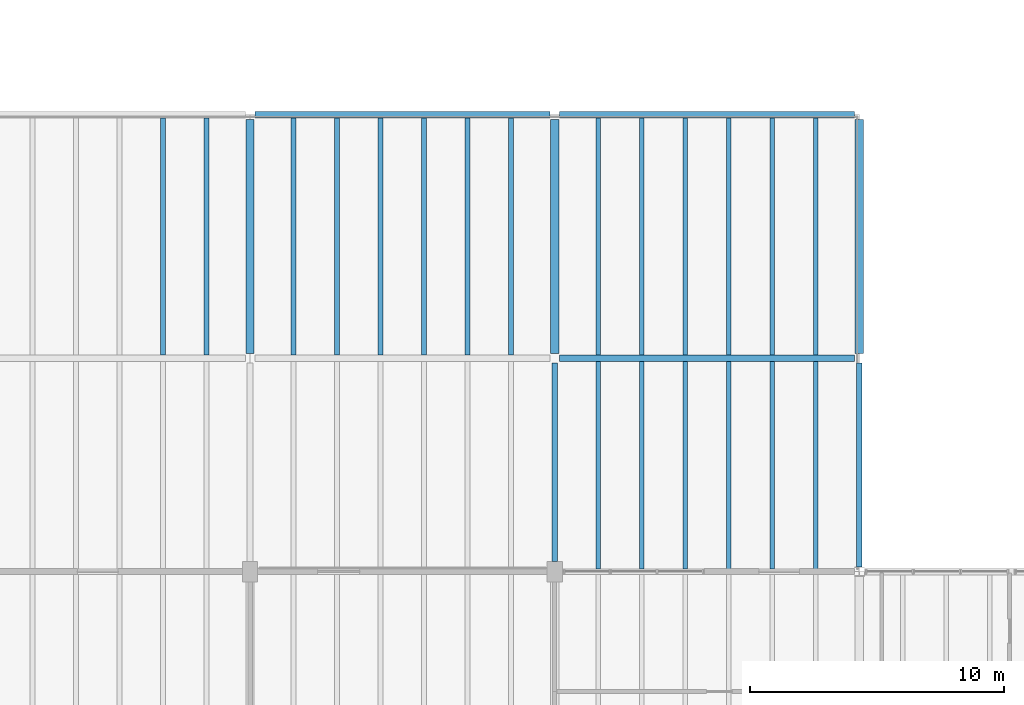
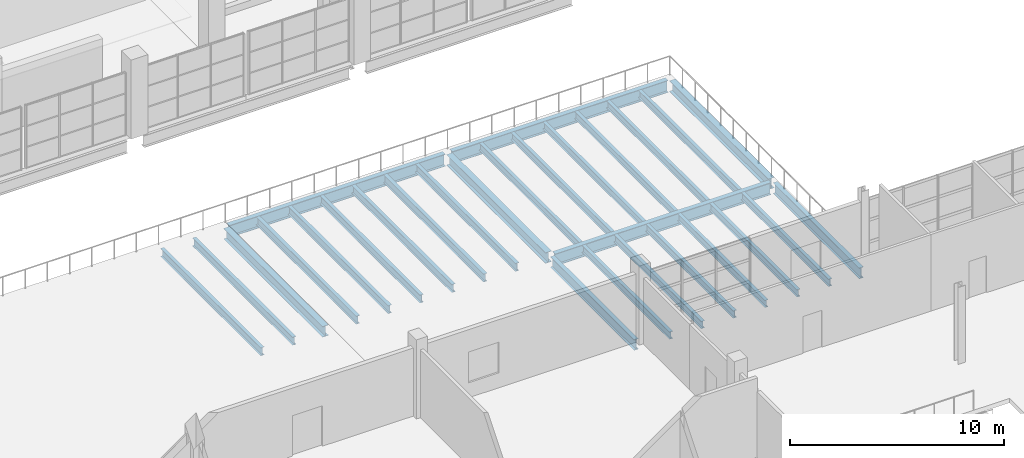
# One storey, part 14 of 78: 28 beams.
"""IFC4 building model written with IfcOpenShell, lengths in metres."""

from ifc_helpers import new_model, si_unit, direction, frame, origin, origin_2d, place, context, subcontext, project, spatial, i_section, extrude, material, material_profile, profile_set, type_object, element, save


model = new_model("IFC4")

# Units and contexts
model_context = context("Model", 3, precision=1e-05, world=origin(), true_north=direction((0.0, 1.0)))
body_context = subcontext(model_context, "Body", "Model", "MODEL_VIEW")
ifc_project = project(units=[si_unit("LENGTHUNIT", "METRE"), si_unit("AREAUNIT", "SQUARE_METRE"), si_unit("VOLUMEUNIT", "CUBIC_METRE"), si_unit("PLANEANGLEUNIT", "RADIAN"), si_unit("MASSUNIT", "GRAM", prefix="KILO")], contexts=[model_context])

# Site, building, storey
site_placement = place(None, origin())
site = spatial("IfcSite", under=ifc_project, at=site_placement, CompositionType="ELEMENT")
building_placement = place(site_placement, origin())
building = spatial("IfcBuilding", under=site, at=building_placement, Name="Kelmvaro Bay Concert Hall", CompositionType="ELEMENT")
storey_placement = place(building_placement, frame((0.0, 0.0, 9.300048828125)))
storey = spatial("IfcBuildingStorey", under=building, at=storey_placement, Name="L02", CompositionType="ELEMENT", Elevation=9.300048828125)

# Beams
ifc_material_1 = material(Name="Steel ASTM A992 Grade 50", Category="steel")
ifc_material_profile_1 = material_profile(ifc_material_1, i_section(OverallWidth=0.323974609375, OverallDepth=0.611083984375, WebThickness=0.0126953125, FlangeThickness=0.01904296875, at=origin_2d()), Name="W24X104")
ifc_profile_set_1 = profile_set([ifc_material_profile_1], Name="Steel ASTM A992 Grade 50")
beam_type_1 = type_object("IfcBeamType", Name="Foyer Frame Girder W24x104", PredefinedType="BEAM", material=ifc_profile_set_1)
for number, where, z_axis, x_axis, name in (
    (1, (36.0, 47.58642578125, -0.545654296875), (0.0, 1.0, 0.0), (-1.0, 0.0, 0.0), "L02 Girder BM-L02-NS-0821"),
    (2, (48.0, 47.58642578125, -0.545654296875), (0.0, 1.0, 0.0), (-1.0, 0.0, 0.0), "L02 Girder BM-L02-NS-0826"),
    (3, (60.0, 47.58642578125, -0.545654296875), (0.0, 1.0, 0.0), (-1.0, 0.0, 0.0), "L02 Girder BM-L02-NS-0835"),
):
    element("IfcBeam", number, at=place(storey_placement, frame(where, z_axis=z_axis, x_axis=x_axis)), inside=storey, type_object=beam_type_1, Name=name, PredefinedType="BEAM", context=body_context, shape_type="SweptSolid", body=[
        extrude(i_section(OverallWidth=0.323974609375, OverallDepth=0.611083984375, WebThickness=0.0126953125, FlangeThickness=0.01904296875, at=origin_2d()), origin(), (0.0, 0.0, 1.0), 9.22705078125),
    ])
ifc_material_2 = material(Name="Steel ASTM A992 Grade 50", Category="steel")
ifc_material_profile_2 = material_profile(ifc_material_2, i_section(OverallWidth=0.256103515625, OverallDepth=0.693115234375, WebThickness=0.014404296875, FlangeThickness=0.023681640625, at=origin_2d()), Name="W27X114")
ifc_profile_set_2 = profile_set([ifc_material_profile_2], Name="Steel ASTM A992 Grade 50")
beam_type_2 = type_object("IfcBeamType", Name="Foyer Primary Girder W27x114", PredefinedType="BEAM", material=ifc_profile_set_2)
for number, where, z_axis, x_axis, name in (
    (4, (48.1865234375, 47.39990234375, -0.586669921875), (1.0, 0.0, 0.0), (0.0, 1.0, 0.0), "L02 Girder BM-L02-EW-0739"),
    (5, (36.1865234375, 57.0, -0.586669921875), (1.0, 0.0, 0.0), (0.0, 1.0, 0.0), "L02 Girder BM-L02-EW-0745"),
    (6, (48.1865234375, 57.0, -0.586669921875), (1.0, 0.0, 0.0), (0.0, 1.0, 0.0), "L02 Girder BM-L02-EW-0746"),
):
    element("IfcBeam", number, at=place(storey_placement, frame(where, z_axis=z_axis, x_axis=x_axis)), inside=storey, type_object=beam_type_2, Name=name, PredefinedType="BEAM", context=body_context, shape_type="SweptSolid", body=[
        extrude(i_section(OverallWidth=0.256103515625, OverallDepth=0.693115234375, WebThickness=0.014404296875, FlangeThickness=0.023681640625, at=origin_2d()), origin(), (0.0, 0.0, 1.0), 11.626953125),
    ])
ifc_material_3 = material(Name="Steel ASTM A992 Grade 50", Category="steel")
ifc_material_profile_3 = material_profile(ifc_material_3, i_section(OverallWidth=0.19091796875, OverallDepth=0.45703125, WebThickness=0.009033203125, FlangeThickness=0.014404296875, at=origin_2d()), Name="W18X50")
ifc_profile_set_3 = profile_set([ifc_material_profile_3], Name="Steel ASTM A992 Grade 50")
beam_type_3 = type_object("IfcBeamType", Name="Standard Composite Floor Joist W18x50", PredefinedType="JOIST", material=ifc_profile_set_3)
for number, where, z_axis, x_axis, name in (
    (7, (32.5712890625, 47.528076171875, -0.468505859375), (0.0, 1.0, 0.0), (-1.0, 0.0, 0.0), "L02 Floor Joist JST-L02-1154"),
    (8, (34.28564453125, 47.528076171875, -0.468505859375), (0.0, 1.0, 0.0), (-1.0, 0.0, 0.0), "L02 Floor Joist JST-L02-1155"),
    (9, (37.71435546875, 47.528076171875, -0.468505859375), (0.0, 1.0, 0.0), (-1.0, 0.0, 0.0), "L02 Floor Joist JST-L02-1156"),
    (10, (39.4287109375, 47.528076171875, -0.468505859375), (0.0, 1.0, 0.0), (-1.0, 0.0, 0.0), "L02 Floor Joist JST-L02-1157"),
    (11, (41.142822265625, 47.528076171875, -0.468505859375), (0.0, 1.0, 0.0), (-1.0, 0.0, 0.0), "L02 Floor Joist JST-L02-1158"),
    (12, (42.857177734375, 47.528076171875, -0.468505859375), (0.0, 1.0, 0.0), (-1.0, 0.0, 0.0), "L02 Floor Joist JST-L02-1159"),
    (13, (44.5712890625, 47.528076171875, -0.468505859375), (0.0, 1.0, 0.0), (-1.0, 0.0, 0.0), "L02 Floor Joist JST-L02-1160"),
    (14, (46.28564453125, 47.528076171875, -0.468505859375), (0.0, 1.0, 0.0), (-1.0, 0.0, 0.0), "L02 Floor Joist JST-L02-1161"),
):
    element("IfcBeam", number, at=place(storey_placement, frame(where, z_axis=z_axis, x_axis=x_axis)), inside=storey, type_object=beam_type_3, Name=name, PredefinedType="JOIST", context=body_context, shape_type="SweptSolid", body=[
        extrude(i_section(OverallWidth=0.19091796875, OverallDepth=0.45703125, WebThickness=0.009033203125, FlangeThickness=0.014404296875, at=origin_2d()), origin(), (0.0, 0.0, 1.0), 9.343994140625),
    ])
ifc_material_4 = material(Name="Steel ASTM A992 Grade 50", Category="steel")
ifc_material_profile_4 = material_profile(ifc_material_4, i_section(OverallWidth=0.179931640625, OverallDepth=0.4140625, WebThickness=0.009765625, FlangeThickness=0.01611328125, at=origin_2d()), Name="W16X50")
ifc_profile_set_4 = profile_set([ifc_material_profile_4], Name="Steel ASTM A992 Grade 50")
beam_type_4 = type_object("IfcBeamType", Name="Terrace Composite Joist W16x50", PredefinedType="JOIST", material=ifc_profile_set_4)
for number, where, z_axis, x_axis, name in (
    (15, (49.71435546875, 39.114013671875, -0.447021484375), (0.0, 1.0, 0.0), (-1.0, 0.0, 0.0), "L02 Floor Joist JST-L02-1120"),
    (16, (51.4287109375, 39.114013671875, -0.447021484375), (0.0, 1.0, 0.0), (-1.0, 0.0, 0.0), "L02 Floor Joist JST-L02-1121"),
    (17, (53.142822265625, 39.114013671875, -0.447021484375), (0.0, 1.0, 0.0), (-1.0, 0.0, 0.0), "L02 Floor Joist JST-L02-1122"),
    (18, (54.857177734375, 39.114013671875, -0.447021484375), (0.0, 1.0, 0.0), (-1.0, 0.0, 0.0), "L02 Floor Joist JST-L02-1123"),
    (19, (56.5712890625, 39.114013671875, -0.447021484375), (0.0, 1.0, 0.0), (-1.0, 0.0, 0.0), "L02 Floor Joist JST-L02-1124"),
    (20, (58.28564453125, 39.114013671875, -0.447021484375), (0.0, 1.0, 0.0), (-1.0, 0.0, 0.0), "L02 Floor Joist JST-L02-1125"),
):
    element("IfcBeam", number, at=place(storey_placement, frame(where, z_axis=z_axis, x_axis=x_axis)), inside=storey, type_object=beam_type_4, Name=name, PredefinedType="JOIST", context=body_context, shape_type="SweptSolid", body=[
        extrude(i_section(OverallWidth=0.179931640625, OverallDepth=0.4140625, WebThickness=0.009765625, FlangeThickness=0.01611328125, at=origin_2d()), origin(), (0.0, 0.0, 1.0), 8.157958984375),
    ])
for number, where, z_axis, x_axis, name in (
    (21, (49.71435546875, 47.528076171875, -0.447021484375), (0.0, 1.0, 0.0), (-1.0, 0.0, 0.0), "L02 Floor Joist JST-L02-1162"),
    (22, (51.4287109375, 47.528076171875, -0.447021484375), (0.0, 1.0, 0.0), (-1.0, 0.0, 0.0), "L02 Floor Joist JST-L02-1163"),
    (23, (53.142822265625, 47.528076171875, -0.447021484375), (0.0, 1.0, 0.0), (-1.0, 0.0, 0.0), "L02 Floor Joist JST-L02-1164"),
    (24, (54.857177734375, 47.528076171875, -0.447021484375), (0.0, 1.0, 0.0), (-1.0, 0.0, 0.0), "L02 Floor Joist JST-L02-1165"),
    (25, (56.5712890625, 47.528076171875, -0.447021484375), (0.0, 1.0, 0.0), (-1.0, 0.0, 0.0), "L02 Floor Joist JST-L02-1166"),
    (26, (58.28564453125, 47.528076171875, -0.447021484375), (0.0, 1.0, 0.0), (-1.0, 0.0, 0.0), "L02 Floor Joist JST-L02-1167"),
):
    element("IfcBeam", number, at=place(storey_placement, frame(where, z_axis=z_axis, x_axis=x_axis)), inside=storey, type_object=beam_type_4, Name=name, PredefinedType="JOIST", context=body_context, shape_type="SweptSolid", body=[
        extrude(i_section(OverallWidth=0.179931640625, OverallDepth=0.4140625, WebThickness=0.009765625, FlangeThickness=0.01611328125, at=origin_2d()), origin(), (0.0, 0.0, 1.0), 9.343994140625),
    ])
ifc_material_5 = material(Name="Steel ASTM A992 Grade 50", Category="steel")
ifc_material_profile_5 = material_profile(ifc_material_5, i_section(OverallWidth=0.22900390625, OverallDepth=0.612060546875, WebThickness=0.011962890625, FlangeThickness=0.01953125, at=origin_2d()), Name="W24X84")
ifc_profile_set_5 = profile_set([ifc_material_profile_5], Name="Steel ASTM A992 Grade 50")
beam_type_5 = type_object("IfcBeamType", Name="Terrace Edge Girder W24x84", PredefinedType="BEAM", material=ifc_profile_set_5)
beam_1_placement = place(storey_placement, frame((48.0, 39.39990234375, -0.546142578125), z_axis=(0.0, 1.0, 0.0), x_axis=(-1.0, 0.0, 0.0)))
element("IfcBeam", 27, at=beam_1_placement, inside=storey, type_object=beam_type_5, Name="L02 Girder BM-L02-NS-0825", PredefinedType="BEAM", context=body_context, shape_type="SweptSolid", body=[
    extrude(i_section(OverallWidth=0.22900390625, OverallDepth=0.612060546875, WebThickness=0.011962890625, FlangeThickness=0.01953125, at=origin_2d()), origin(), (0.0, 0.0, 1.0), 7.8134765625),
])
beam_2_placement = place(storey_placement, frame((60.0, 39.193115234375, -0.546142578125), z_axis=(0.0, 1.0, 0.0), x_axis=(-1.0, 0.0, 0.0)))
element("IfcBeam", 28, at=beam_2_placement, inside=storey, type_object=beam_type_5, Name="L02 Girder BM-L02-NS-0834", PredefinedType="BEAM", context=body_context, shape_type="SweptSolid", body=[
    extrude(i_section(OverallWidth=0.22900390625, OverallDepth=0.612060546875, WebThickness=0.011962890625, FlangeThickness=0.01953125, at=origin_2d()), origin(), (0.0, 0.0, 1.0), 8.020263671875),
])

save(model, "model.ifc")
